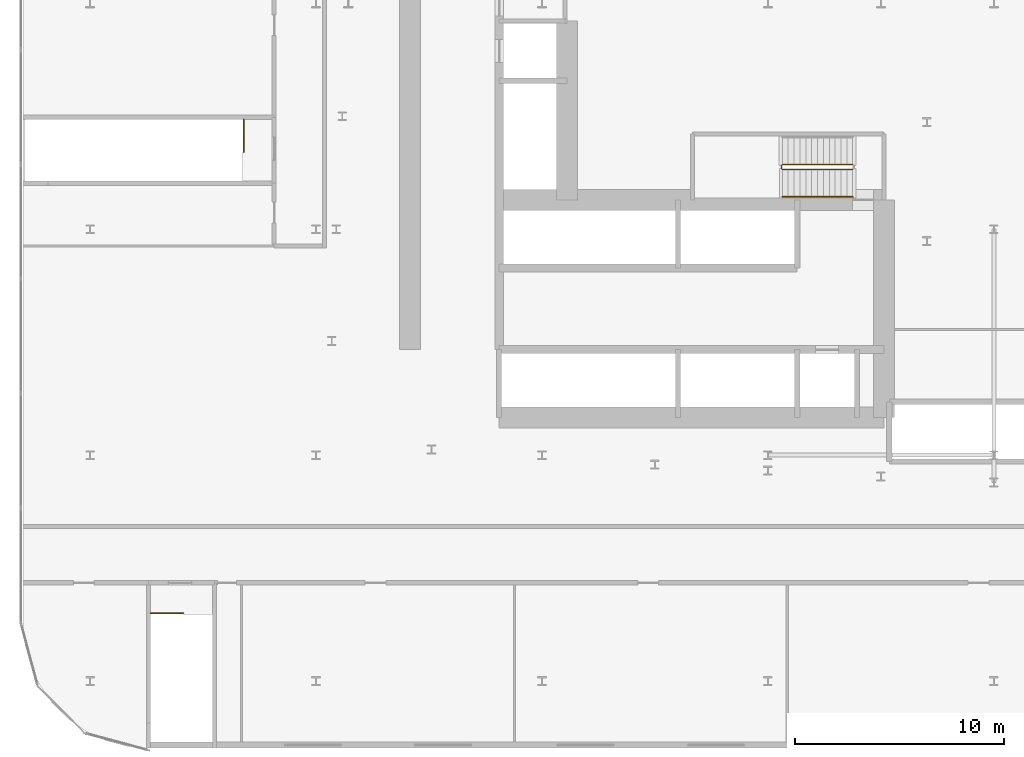
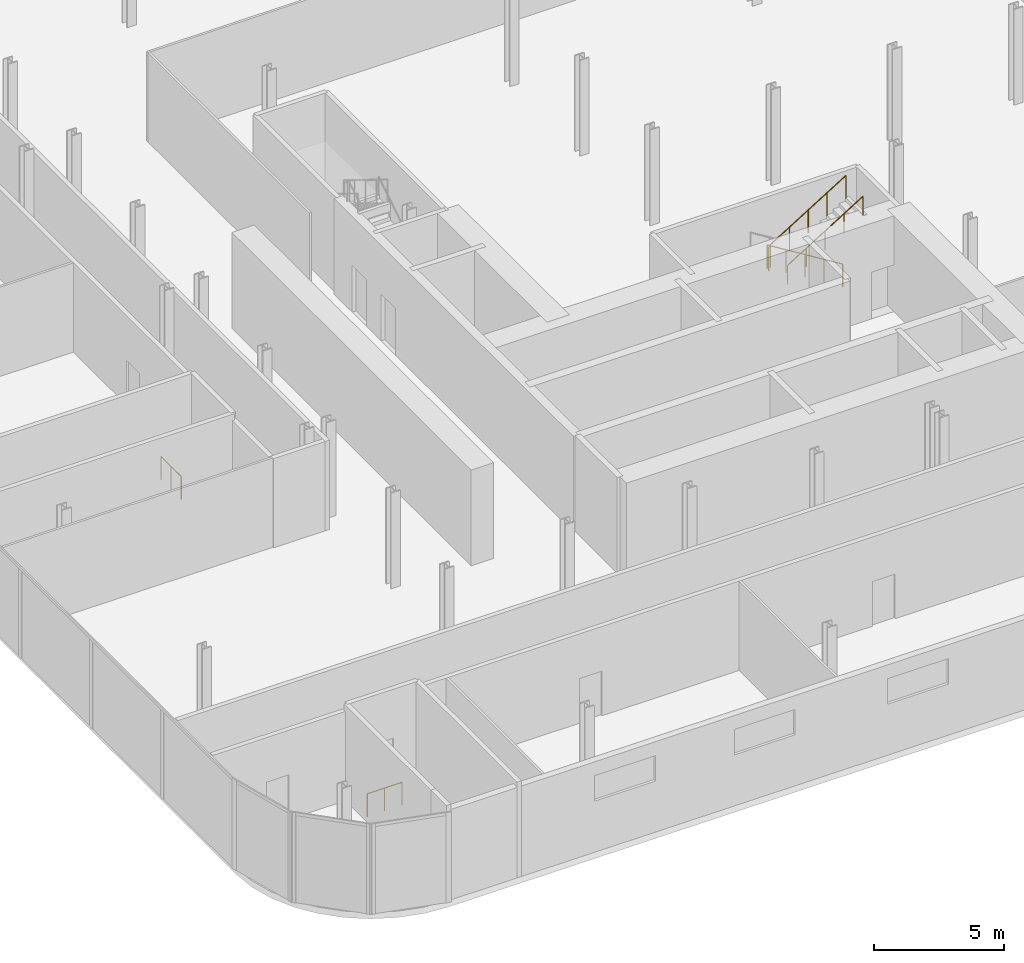
# One storey, part 38 of 43: 4 railings.
"""IFC4 building model written with IfcOpenShell, lengths in metres."""

from ifc_helpers import new_model, si_unit, direction, frame, origin, origin_2d, place, context, subcontext, project, spatial, circle, extrude, material, type_object, element, save


model = new_model("IFC4")

# Units and contexts
model_context = context("Model", 3, precision=1e-05, world=origin(), true_north=direction((0.0, 1.0)))
body_context = subcontext(model_context, "Body", "Model", "MODEL_VIEW")
ifc_project = project(units=[si_unit("LENGTHUNIT", "METRE"), si_unit("AREAUNIT", "SQUARE_METRE"), si_unit("VOLUMEUNIT", "CUBIC_METRE"), si_unit("PLANEANGLEUNIT", "RADIAN"), si_unit("MASSUNIT", "GRAM", prefix="KILO")], contexts=[model_context])

# Site, building, storey
site_placement = place(None, origin())
site = spatial("IfcSite", under=ifc_project, at=site_placement, CompositionType="ELEMENT")
building_placement = place(site_placement, origin())
building = spatial("IfcBuilding", under=site, at=building_placement, Name="Kheshtan School and Residences Tower", CompositionType="ELEMENT")
storey_placement = place(building_placement, frame((0.0, 0.0, 26.0)))
storey = spatial("IfcBuildingStorey", under=building, at=storey_placement, Name="L05", CompositionType="ELEMENT", Elevation=26.0)

# Railings
ifc_material_1 = material(Name="Stainless steel balustrade", Category="steel")
railing_type_1 = type_object("IfcRailingType", Name="Stair guard 1100", PredefinedType="GUARDRAIL", material=ifc_material_1)
railing_1_placement = place(storey_placement, frame((51.64990234375, 37.89990234375, 0.173095703125)))
element("IfcRailing", 1, at=railing_1_placement, inside=storey, type_object=railing_type_1, Name="L05 ST1 stair guard 1", PredefinedType="GUARDRAIL", context=body_context, shape_type="SweptSolid", body=[
    extrude(circle(Radius=0.02392578125, at=origin_2d()), frame((0.0, 0.0, 1.076171875), z_axis=(-0.850606129759, 0.0, 0.525803396734), x_axis=(0.0, -1.0, 0.0)), (0.0, 0.0, 1.0), 3.949951171875),
    extrude(circle(Radius=0.02392578125, at=origin_2d()), frame((-3.35986328125, 0.0, 3.15283203125), z_axis=(-0.708833529934, -0.705375805398, 0.0), x_axis=(0.705375805398, -0.708833529934, 0.0)), (0.0, 0.0, 1.0), 0.070556640625),
    extrude(circle(Radius=0.02392578125, at=origin_2d()), frame((-3.409912109375, -0.0498046875, 3.15283203125), z_axis=(0.0, -1.0, 0.0), x_axis=(1.0, 0.0, 0.0)), (0.0, 0.0, 1.0), 0.150146484375),
    extrude(circle(Radius=0.02392578125, at=origin_2d()), frame((-3.409912109375, -0.199951171875, 3.15283203125), z_axis=(0.267629722418, -0.267629722418, 0.925607186314), x_axis=(0.707106781187, 0.707106781187, 0.0)), (0.0, 0.0, 1.0), 0.18701171875),
    extrude(circle(Radius=0.02392578125, at=origin_2d()), frame((-3.35986328125, -0.25, 3.326171875), z_axis=(0.850606129759, 0.0, 0.525803396734), x_axis=(0.0, 1.0, 0.0)), (0.0, 0.0, 1.0), 3.949951171875),
    extrude(circle(Radius=0.02099609375, at=origin_2d()), origin(), (0.0, 0.0, 1.0), 1.052001953125),
    extrude(circle(Radius=0.02099609375, at=origin_2d()), frame((-0.83984375, 0.0, 0.519287109375)), (0.0, 0.0, 1.0), 1.052001953125),
    extrude(circle(Radius=0.02099609375, at=origin_2d()), frame((-1.679931640625, 0.0, 1.03857421875)), (0.0, 0.0, 1.0), 1.052001953125),
    extrude(circle(Radius=0.02099609375, at=origin_2d()), frame((-2.52001953125, 0.0, 1.5576171875)), (0.0, 0.0, 1.0), 1.052001953125),
    extrude(circle(Radius=0.02099609375, at=origin_2d()), frame((-3.35986328125, 0.0, 2.076904296875)), (0.0, 0.0, 1.0), 1.052001953125),
    extrude(circle(Radius=0.02099609375, at=origin_2d()), frame((-3.409912109375, -0.0498046875, 2.076904296875)), (0.0, 0.0, 1.0), 1.052001953125),
    extrude(circle(Radius=0.02099609375, at=origin_2d()), frame((-3.409912109375, -0.199951171875, 2.076904296875)), (0.0, 0.0, 1.0), 1.052001953125),
    extrude(circle(Radius=0.02099609375, at=origin_2d()), frame((-3.35986328125, -0.25, 2.25)), (0.0, 0.0, 1.0), 1.052001953125),
    extrude(circle(Radius=0.02099609375, at=origin_2d()), frame((-2.52001953125, -0.25, 2.769287109375)), (0.0, 0.0, 1.0), 1.052001953125),
    extrude(circle(Radius=0.02099609375, at=origin_2d()), frame((-1.679931640625, -0.25, 3.28857421875)), (0.0, 0.0, 1.0), 1.052001953125),
    extrude(circle(Radius=0.02099609375, at=origin_2d()), frame((-0.83984375, -0.25, 3.8076171875)), (0.0, 0.0, 1.0), 1.052001953125),
    extrude(circle(Radius=0.02099609375, at=origin_2d()), frame((0.0, -0.25, 4.326904296875)), (0.0, 0.0, 1.0), 1.052001953125),
])
railing_2_placement = place(storey_placement, frame((22.550048828125, 40.050048828125, 0.0)))
element("IfcRailing", 2, at=railing_2_placement, inside=storey, type_object=railing_type_1, Name="L05 PS-012-037 top well guard 1", PredefinedType="GUARDRAIL", context=body_context, shape_type="SweptSolid", body=[
    extrude(circle(Radius=0.02392578125, at=origin_2d()), frame((0.0, 0.0, 1.076171875), z_axis=(0.0, -1.0, 0.0), x_axis=(1.0, 0.0, 0.0)), (0.0, 0.0, 1.0), 1.550048828125),
    extrude(circle(Radius=0.02099609375, at=origin_2d()), origin(), (0.0, 0.0, 1.0), 1.052001953125),
    extrude(circle(Radius=0.02099609375, at=origin_2d()), frame((0.0, -0.77490234375, 0.0)), (0.0, 0.0, 1.0), 1.052001953125),
    extrude(circle(Radius=0.02099609375, at=origin_2d()), frame((0.0, -1.550048828125, 0.0)), (0.0, 0.0, 1.0), 1.052001953125),
])
railing_3_placement = place(storey_placement, frame((18.10009765625, 16.449951171875, 0.0)))
element("IfcRailing", 3, at=railing_3_placement, inside=storey, type_object=railing_type_1, Name="L05 PS-018-010 top well guard 1", PredefinedType="GUARDRAIL", context=body_context, shape_type="SweptSolid", body=[
    extrude(circle(Radius=0.02392578125, at=origin_2d()), frame((0.0, 0.0, 1.076171875), z_axis=(1.0, 0.0, 0.0), x_axis=(0.0, 1.0, 0.0)), (0.0, 0.0, 1.0), 1.5498046875),
    extrude(circle(Radius=0.02099609375, at=origin_2d()), origin(), (0.0, 0.0, 1.0), 1.052001953125),
    extrude(circle(Radius=0.02099609375, at=origin_2d()), frame((0.77490234375, 0.0, 0.0)), (0.0, 0.0, 1.0), 1.052001953125),
    extrude(circle(Radius=0.02099609375, at=origin_2d()), frame((1.5498046875, 0.0, 0.0)), (0.0, 0.0, 1.0), 1.052001953125),
])
ifc_material_2 = material(Name="Stainless steel handrail", Category="steel")
railing_type_2 = type_object("IfcRailingType", Name="Stair handrail 900", PredefinedType="HANDRAIL", material=ifc_material_2)
railing_4_placement = place(storey_placement, frame((48.2900390625, 36.35009765625, 2.423095703125)))
element("IfcRailing", 4, at=railing_4_placement, inside=storey, type_object=railing_type_2, Name="L05 ST1 stair handrail 2", PredefinedType="HANDRAIL", context=body_context, shape_type="SweptSolid", body=[
    extrude(circle(Radius=0.02392578125, at=origin_2d()), frame((0.0, 0.0, 0.8759765625), z_axis=(0.850606129759, 0.0, 0.525803396734), x_axis=(0.0, 1.0, 0.0)), (0.0, 0.0, 1.0), 3.949951171875),
    extrude(circle(Radius=0.02099609375, at=origin_2d()), origin(), (0.0, 0.0, 1.0), 0.851806640625),
    extrude(circle(Radius=0.02099609375, at=origin_2d()), frame((0.83984375, 0.0, 0.519287109375)), (0.0, 0.0, 1.0), 0.851806640625),
    extrude(circle(Radius=0.02099609375, at=origin_2d()), frame((1.679931640625, 0.0, 1.03857421875)), (0.0, 0.0, 1.0), 0.851806640625),
    extrude(circle(Radius=0.02099609375, at=origin_2d()), frame((2.52001953125, 0.0, 1.5576171875)), (0.0, 0.0, 1.0), 0.851806640625),
    extrude(circle(Radius=0.02099609375, at=origin_2d()), frame((3.35986328125, 0.0, 2.076904296875)), (0.0, 0.0, 1.0), 0.851806640625),
])

save(model, "model.ifc")
